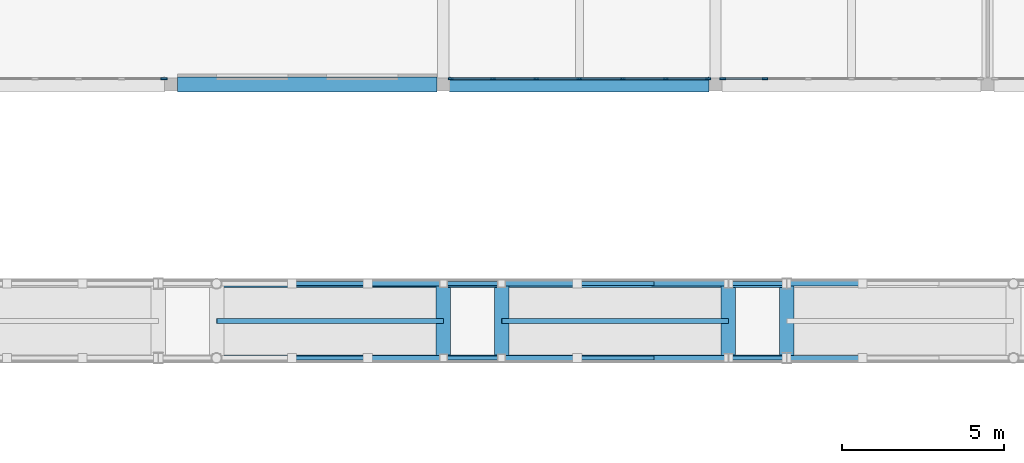
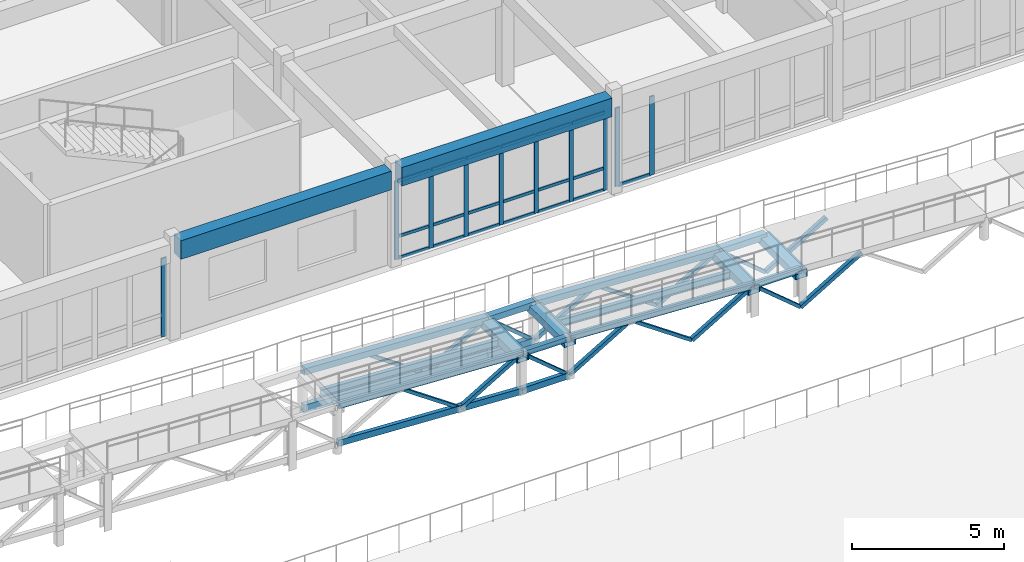
# One storey, part 40 of 89: 57 members, 8 beams, 3 elements without a shape of their own.
"""IFC4 building model written with IfcOpenShell, lengths in metres."""

from ifc_helpers import new_model, si_unit, direction, frame, origin, origin_2d, place, context, subcontext, project, spatial, rectangle, hollow_rectangle, i_section, extrude, material, material_profile, profile_set, type_object, element, aggregate, save


model = new_model("IFC4")

# Units and contexts
model_context = context("Model", 3, precision=1e-05, world=origin(), true_north=direction((0.0, 1.0)))
body_context = subcontext(model_context, "Body", "Model", "MODEL_VIEW")
ifc_project = project(units=[si_unit("LENGTHUNIT", "METRE"), si_unit("AREAUNIT", "SQUARE_METRE"), si_unit("VOLUMEUNIT", "CUBIC_METRE"), si_unit("PLANEANGLEUNIT", "RADIAN"), si_unit("MASSUNIT", "GRAM", prefix="KILO")], contexts=[model_context])

# Site, building, storey
site_placement = place(None, origin())
site = spatial("IfcSite", under=ifc_project, at=site_placement, CompositionType="ELEMENT")
building_placement = place(site_placement, origin())
building = spatial("IfcBuilding", under=site, at=building_placement, Name="Malvenik Polytechnic", CompositionType="ELEMENT")
storey_placement = place(building_placement, frame((0.0, 0.0, 13.5)))
storey = spatial("IfcBuildingStorey", under=building, at=storey_placement, Name="L03", CompositionType="ELEMENT", Elevation=13.5)

# Curtain wall, members
ifc_material_1 = material(Name="Anodised aluminium 6060-T6", Category="aluminium")
curtain_wall_type = type_object("IfcCurtainWallType", Name="ARC-CW-CW-02", PredefinedType="NOTDEFINED", material=ifc_material_1)
curtain_wall_1_placement = place(storey_placement, origin())
curtain_wall_1 = element("IfcCurtainWall", 1, at=curtain_wall_1_placement, inside=storey, type_object=curtain_wall_type, Name="Unitised Curtain Wall CW-02 L03 #197", PredefinedType="NOTDEFINED")
ifc_material_2 = material(Name="Anodised aluminium", Category="aluminium")
ifc_material_profile_1 = material_profile(ifc_material_2, rectangle(XDim=0.06005859375, YDim=0.159912109375, at=origin_2d()), Name="ALU MULLION 60x160")
ifc_profile_set_1 = profile_set([ifc_material_profile_1], Name="Anodised aluminium")
member_type_1 = type_object("IfcMemberType", Name="ARC-CWM-160", PredefinedType="MULLION", material=ifc_profile_set_1)
member_1_placement = place(storey_placement, frame((92.172119140625, 79.3701171875, 0.0), z_axis=(0.0, 0.0, 1.0), x_axis=(0.0, -1.0, 0.0)))
member_1 = element("IfcMember", 2, at=member_1_placement, type_object=member_type_1, Name="CW-02 mullion 1", PredefinedType="MULLION", context=body_context, shape_type="SweptSolid", body=[
    extrude(rectangle(XDim=0.06005859375, YDim=0.159912109375, at=origin_2d()), origin(), (0.0, 0.0, 1.0), 3.159912109375),
])
member_2_placement = place(storey_placement, frame((90.867919921875, 79.3701171875, 0.0), z_axis=(0.0, 0.0, 1.0), x_axis=(0.0, -1.0, 0.0)))
member_2 = element("IfcMember", 3, at=member_2_placement, type_object=member_type_1, Name="CW-02 mullion 2", PredefinedType="MULLION", context=body_context, shape_type="SweptSolid", body=[
    extrude(rectangle(XDim=0.06005859375, YDim=0.159912109375, at=origin_2d()), origin(), (0.0, 0.0, 1.0), 3.159912109375),
])
member_3_placement = place(storey_placement, frame((89.533935546875, 79.3701171875, 0.0), z_axis=(0.0, 0.0, 1.0), x_axis=(0.0, -1.0, 0.0)))
member_3 = element("IfcMember", 4, at=member_3_placement, type_object=member_type_1, Name="CW-02 mullion 3", PredefinedType="MULLION", context=body_context, shape_type="SweptSolid", body=[
    extrude(rectangle(XDim=0.06005859375, YDim=0.159912109375, at=origin_2d()), origin(), (0.0, 0.0, 1.0), 3.159912109375),
])
member_4_placement = place(storey_placement, frame((88.199951171875, 79.3701171875, 0.0), z_axis=(0.0, 0.0, 1.0), x_axis=(0.0, -1.0, 0.0)))
member_4 = element("IfcMember", 5, at=member_4_placement, type_object=member_type_1, Name="CW-02 mullion 4", PredefinedType="MULLION", context=body_context, shape_type="SweptSolid", body=[
    extrude(rectangle(XDim=0.06005859375, YDim=0.159912109375, at=origin_2d()), origin(), (0.0, 0.0, 1.0), 3.159912109375),
])
member_5_placement = place(storey_placement, frame((86.865966796875, 79.3701171875, 0.0), z_axis=(0.0, 0.0, 1.0), x_axis=(0.0, -1.0, 0.0)))
member_5 = element("IfcMember", 6, at=member_5_placement, type_object=member_type_1, Name="CW-02 mullion 5", PredefinedType="MULLION", context=body_context, shape_type="SweptSolid", body=[
    extrude(rectangle(XDim=0.06005859375, YDim=0.159912109375, at=origin_2d()), origin(), (0.0, 0.0, 1.0), 3.159912109375),
])
member_6_placement = place(storey_placement, frame((85.531982421875, 79.3701171875, 0.0), z_axis=(0.0, 0.0, 1.0), x_axis=(0.0, -1.0, 0.0)))
member_6 = element("IfcMember", 7, at=member_6_placement, type_object=member_type_1, Name="CW-02 mullion 6", PredefinedType="MULLION", context=body_context, shape_type="SweptSolid", body=[
    extrude(rectangle(XDim=0.06005859375, YDim=0.159912109375, at=origin_2d()), origin(), (0.0, 0.0, 1.0), 3.159912109375),
])
member_7_placement = place(storey_placement, frame((84.22802734375, 79.3701171875, 0.0), z_axis=(0.0, 0.0, 1.0), x_axis=(0.0, -1.0, 0.0)))
member_7 = element("IfcMember", 8, at=member_7_placement, type_object=member_type_1, Name="CW-02 mullion 7", PredefinedType="MULLION", context=body_context, shape_type="SweptSolid", body=[
    extrude(rectangle(XDim=0.06005859375, YDim=0.159912109375, at=origin_2d()), origin(), (0.0, 0.0, 1.0), 3.159912109375),
])

curtain_wall_2_placement = place(storey_placement, origin())
curtain_wall_2 = element("IfcCurtainWall", 9, at=curtain_wall_2_placement, inside=storey, type_object=curtain_wall_type, Name="Unitised Curtain Wall CW-02 L03 #196", PredefinedType="NOTDEFINED")
ifc_material_profile_2 = material_profile(ifc_material_2, rectangle(XDim=0.06005859375, YDim=0.179931640625, at=origin_2d()), Name="ALU MULLION 60x180")
ifc_profile_set_2 = profile_set([ifc_material_profile_2], Name="Anodised aluminium")
member_type_2 = type_object("IfcMemberType", Name="ARC-CWM-180", PredefinedType="MULLION", material=ifc_profile_set_2)
member_8_placement = place(storey_placement, frame((93.931884765625, 79.3701171875, 0.0), z_axis=(0.0, 0.0, 1.0), x_axis=(0.0, -1.0, 0.0)))
member_8 = element("IfcMember", 10, at=member_8_placement, type_object=member_type_2, Name="CW-02 mullion 6", PredefinedType="MULLION", context=body_context, shape_type="SweptSolid", body=[
    extrude(rectangle(XDim=0.06005859375, YDim=0.179931640625, at=origin_2d()), origin(), (0.0, 0.0, 1.0), 3.159912109375),
])
member_9_placement = place(storey_placement, frame((92.6279296875, 79.3701171875, 0.0), z_axis=(0.0, 0.0, 1.0), x_axis=(0.0, -1.0, 0.0)))
member_9 = element("IfcMember", 11, at=member_9_placement, type_object=member_type_2, Name="CW-02 mullion 7", PredefinedType="MULLION", context=body_context, shape_type="SweptSolid", body=[
    extrude(rectangle(XDim=0.06005859375, YDim=0.179931640625, at=origin_2d()), origin(), (0.0, 0.0, 1.0), 3.159912109375),
])

# Curtain wall, member
curtain_wall_3_placement = place(storey_placement, origin())
curtain_wall_3 = element("IfcCurtainWall", 12, at=curtain_wall_3_placement, inside=storey, type_object=curtain_wall_type, Name="Unitised Curtain Wall CW-02 L03 #198", PredefinedType="NOTDEFINED")
ifc_material_profile_3 = material_profile(ifc_material_2, rectangle(XDim=0.06005859375, YDim=0.199951171875, at=origin_2d()), Name="ALU MULLION 60x200")
ifc_profile_set_3 = profile_set([ifc_material_profile_3], Name="Anodised aluminium")
member_type_3 = type_object("IfcMemberType", Name="ARC-CWM-200", PredefinedType="MULLION", material=ifc_profile_set_3)
member_10_placement = place(storey_placement, frame((75.3720703125, 79.3701171875, 0.0), z_axis=(0.0, 0.0, 1.0), x_axis=(0.0, -1.0, 0.0)))
member_10 = element("IfcMember", 13, at=member_10_placement, type_object=member_type_3, Name="CW-02 mullion 1", PredefinedType="MULLION", context=body_context, shape_type="SweptSolid", body=[
    extrude(rectangle(XDim=0.06005859375, YDim=0.199951171875, at=origin_2d()), origin(), (0.0, 0.0, 1.0), 3.159912109375),
])
aggregate(curtain_wall_3, [member_10])

# Member
ifc_material_profile_4 = material_profile(ifc_material_2, rectangle(XDim=0.06005859375, YDim=0.1201171875, at=origin_2d()), Name="ALU TRANSOM 60x120")
ifc_profile_set_4 = profile_set([ifc_material_profile_4], Name="Anodised aluminium")
member_type_4 = type_object("IfcMemberType", Name="ARC-CWT-120", PredefinedType="USERDEFINED", material=ifc_profile_set_4)
member_11_placement = place(storey_placement, frame((92.14208984375, 79.3701171875, 0.030029296875), z_axis=(-1.0, 0.0, 0.0), x_axis=(0.0, -1.0, 0.0)))
member_11 = element("IfcMember", 14, at=member_11_placement, type_object=member_type_4, Name="CW-02 transom 1.1", ObjectType="TRANSOM", PredefinedType="USERDEFINED", context=body_context, shape_type="SweptSolid", body=[
    extrude(rectangle(XDim=0.06005859375, YDim=0.1201171875, at=origin_2d()), origin(), (0.0, 0.0, 1.0), 1.244140625),
])

member_12_placement = place(storey_placement, frame((92.14208984375, 79.3701171875, 0.89990234375), z_axis=(-1.0, 0.0, 0.0), x_axis=(0.0, -1.0, 0.0)))
member_12 = element("IfcMember", 15, at=member_12_placement, type_object=member_type_4, Name="CW-02 transom 1.2", ObjectType="TRANSOM", PredefinedType="USERDEFINED", context=body_context, shape_type="SweptSolid", body=[
    extrude(rectangle(XDim=0.06005859375, YDim=0.1201171875, at=origin_2d()), origin(), (0.0, 0.0, 1.0), 1.244140625),
])

member_13_placement = place(storey_placement, frame((92.14208984375, 79.3701171875, 3.1298828125), z_axis=(-1.0, 0.0, 0.0), x_axis=(0.0, -1.0, 0.0)))
member_13 = element("IfcMember", 16, at=member_13_placement, type_object=member_type_4, Name="CW-02 transom 1.3", ObjectType="TRANSOM", PredefinedType="USERDEFINED", context=body_context, shape_type="SweptSolid", body=[
    extrude(rectangle(XDim=0.06005859375, YDim=0.1201171875, at=origin_2d()), origin(), (0.0, 0.0, 1.0), 1.244140625),
])

member_14_placement = place(storey_placement, frame((90.837890625, 79.3701171875, 0.030029296875), z_axis=(-1.0, 0.0, 0.0), x_axis=(0.0, -1.0, 0.0)))
member_14 = element("IfcMember", 17, at=member_14_placement, type_object=member_type_4, Name="CW-02 transom 2.1", ObjectType="TRANSOM", PredefinedType="USERDEFINED", context=body_context, shape_type="SweptSolid", body=[
    extrude(rectangle(XDim=0.06005859375, YDim=0.1201171875, at=origin_2d()), origin(), (0.0, 0.0, 1.0), 1.27392578125),
])

member_15_placement = place(storey_placement, frame((90.837890625, 79.3701171875, 0.89990234375), z_axis=(-1.0, 0.0, 0.0), x_axis=(0.0, -1.0, 0.0)))
member_15 = element("IfcMember", 18, at=member_15_placement, type_object=member_type_4, Name="CW-02 transom 2.2", ObjectType="TRANSOM", PredefinedType="USERDEFINED", context=body_context, shape_type="SweptSolid", body=[
    extrude(rectangle(XDim=0.06005859375, YDim=0.1201171875, at=origin_2d()), origin(), (0.0, 0.0, 1.0), 1.27392578125),
])

member_16_placement = place(storey_placement, frame((90.837890625, 79.3701171875, 3.1298828125), z_axis=(-1.0, 0.0, 0.0), x_axis=(0.0, -1.0, 0.0)))
member_16 = element("IfcMember", 19, at=member_16_placement, type_object=member_type_4, Name="CW-02 transom 2.3", ObjectType="TRANSOM", PredefinedType="USERDEFINED", context=body_context, shape_type="SweptSolid", body=[
    extrude(rectangle(XDim=0.06005859375, YDim=0.1201171875, at=origin_2d()), origin(), (0.0, 0.0, 1.0), 1.27392578125),
])

member_17_placement = place(storey_placement, frame((89.50390625, 79.3701171875, 0.030029296875), z_axis=(-1.0, 0.0, 0.0), x_axis=(0.0, -1.0, 0.0)))
member_17 = element("IfcMember", 20, at=member_17_placement, type_object=member_type_4, Name="CW-02 transom 3.1", ObjectType="TRANSOM", PredefinedType="USERDEFINED", context=body_context, shape_type="SweptSolid", body=[
    extrude(rectangle(XDim=0.06005859375, YDim=0.1201171875, at=origin_2d()), origin(), (0.0, 0.0, 1.0), 1.27392578125),
])

member_18_placement = place(storey_placement, frame((89.50390625, 79.3701171875, 0.89990234375), z_axis=(-1.0, 0.0, 0.0), x_axis=(0.0, -1.0, 0.0)))
member_18 = element("IfcMember", 21, at=member_18_placement, type_object=member_type_4, Name="CW-02 transom 3.2", ObjectType="TRANSOM", PredefinedType="USERDEFINED", context=body_context, shape_type="SweptSolid", body=[
    extrude(rectangle(XDim=0.06005859375, YDim=0.1201171875, at=origin_2d()), origin(), (0.0, 0.0, 1.0), 1.27392578125),
])

member_19_placement = place(storey_placement, frame((89.50390625, 79.3701171875, 3.1298828125), z_axis=(-1.0, 0.0, 0.0), x_axis=(0.0, -1.0, 0.0)))
member_19 = element("IfcMember", 22, at=member_19_placement, type_object=member_type_4, Name="CW-02 transom 3.3", ObjectType="TRANSOM", PredefinedType="USERDEFINED", context=body_context, shape_type="SweptSolid", body=[
    extrude(rectangle(XDim=0.06005859375, YDim=0.1201171875, at=origin_2d()), origin(), (0.0, 0.0, 1.0), 1.27392578125),
])

member_20_placement = place(storey_placement, frame((88.169921875, 79.3701171875, 0.030029296875), z_axis=(-1.0, 0.0, 0.0), x_axis=(0.0, -1.0, 0.0)))
member_20 = element("IfcMember", 23, at=member_20_placement, type_object=member_type_4, Name="CW-02 transom 4.1", ObjectType="TRANSOM", PredefinedType="USERDEFINED", context=body_context, shape_type="SweptSolid", body=[
    extrude(rectangle(XDim=0.06005859375, YDim=0.1201171875, at=origin_2d()), origin(), (0.0, 0.0, 1.0), 1.27392578125),
])

member_21_placement = place(storey_placement, frame((88.169921875, 79.3701171875, 0.89990234375), z_axis=(-1.0, 0.0, 0.0), x_axis=(0.0, -1.0, 0.0)))
member_21 = element("IfcMember", 24, at=member_21_placement, type_object=member_type_4, Name="CW-02 transom 4.2", ObjectType="TRANSOM", PredefinedType="USERDEFINED", context=body_context, shape_type="SweptSolid", body=[
    extrude(rectangle(XDim=0.06005859375, YDim=0.1201171875, at=origin_2d()), origin(), (0.0, 0.0, 1.0), 1.27392578125),
])

member_22_placement = place(storey_placement, frame((88.169921875, 79.3701171875, 3.1298828125), z_axis=(-1.0, 0.0, 0.0), x_axis=(0.0, -1.0, 0.0)))
member_22 = element("IfcMember", 25, at=member_22_placement, type_object=member_type_4, Name="CW-02 transom 4.3", ObjectType="TRANSOM", PredefinedType="USERDEFINED", context=body_context, shape_type="SweptSolid", body=[
    extrude(rectangle(XDim=0.06005859375, YDim=0.1201171875, at=origin_2d()), origin(), (0.0, 0.0, 1.0), 1.27392578125),
])

member_23_placement = place(storey_placement, frame((86.8359375, 79.3701171875, 0.030029296875), z_axis=(-1.0, 0.0, 0.0), x_axis=(0.0, -1.0, 0.0)))
member_23 = element("IfcMember", 26, at=member_23_placement, type_object=member_type_4, Name="CW-02 transom 5.1", ObjectType="TRANSOM", PredefinedType="USERDEFINED", context=body_context, shape_type="SweptSolid", body=[
    extrude(rectangle(XDim=0.06005859375, YDim=0.1201171875, at=origin_2d()), origin(), (0.0, 0.0, 1.0), 1.27392578125),
])

member_24_placement = place(storey_placement, frame((86.8359375, 79.3701171875, 0.89990234375), z_axis=(-1.0, 0.0, 0.0), x_axis=(0.0, -1.0, 0.0)))
member_24 = element("IfcMember", 27, at=member_24_placement, type_object=member_type_4, Name="CW-02 transom 5.2", ObjectType="TRANSOM", PredefinedType="USERDEFINED", context=body_context, shape_type="SweptSolid", body=[
    extrude(rectangle(XDim=0.06005859375, YDim=0.1201171875, at=origin_2d()), origin(), (0.0, 0.0, 1.0), 1.27392578125),
])

member_25_placement = place(storey_placement, frame((86.8359375, 79.3701171875, 3.1298828125), z_axis=(-1.0, 0.0, 0.0), x_axis=(0.0, -1.0, 0.0)))
member_25 = element("IfcMember", 28, at=member_25_placement, type_object=member_type_4, Name="CW-02 transom 5.3", ObjectType="TRANSOM", PredefinedType="USERDEFINED", context=body_context, shape_type="SweptSolid", body=[
    extrude(rectangle(XDim=0.06005859375, YDim=0.1201171875, at=origin_2d()), origin(), (0.0, 0.0, 1.0), 1.27392578125),
])

member_26_placement = place(storey_placement, frame((85.501953125, 79.3701171875, 0.030029296875), z_axis=(-1.0, 0.0, 0.0), x_axis=(0.0, -1.0, 0.0)))
member_26 = element("IfcMember", 29, at=member_26_placement, type_object=member_type_4, Name="CW-02 transom 6.1", ObjectType="TRANSOM", PredefinedType="USERDEFINED", context=body_context, shape_type="SweptSolid", body=[
    extrude(rectangle(XDim=0.06005859375, YDim=0.1201171875, at=origin_2d()), origin(), (0.0, 0.0, 1.0), 1.243896484375),
])

member_27_placement = place(storey_placement, frame((85.501953125, 79.3701171875, 0.89990234375), z_axis=(-1.0, 0.0, 0.0), x_axis=(0.0, -1.0, 0.0)))
member_27 = element("IfcMember", 30, at=member_27_placement, type_object=member_type_4, Name="CW-02 transom 6.2", ObjectType="TRANSOM", PredefinedType="USERDEFINED", context=body_context, shape_type="SweptSolid", body=[
    extrude(rectangle(XDim=0.06005859375, YDim=0.1201171875, at=origin_2d()), origin(), (0.0, 0.0, 1.0), 1.243896484375),
])

member_28_placement = place(storey_placement, frame((85.501953125, 79.3701171875, 3.1298828125), z_axis=(-1.0, 0.0, 0.0), x_axis=(0.0, -1.0, 0.0)))
member_28 = element("IfcMember", 31, at=member_28_placement, type_object=member_type_4, Name="CW-02 transom 6.3", ObjectType="TRANSOM", PredefinedType="USERDEFINED", context=body_context, shape_type="SweptSolid", body=[
    extrude(rectangle(XDim=0.06005859375, YDim=0.1201171875, at=origin_2d()), origin(), (0.0, 0.0, 1.0), 1.243896484375),
])

aggregate(curtain_wall_1, [member_1, member_2, member_3, member_4, member_5, member_6, member_7, member_11, member_12, member_13, member_14, member_15, member_16, member_17, member_18, member_19, member_20, member_21, member_22, member_23, member_24, member_25, member_26, member_27, member_28])

ifc_material_profile_5 = material_profile(ifc_material_2, rectangle(XDim=0.06005859375, YDim=0.139892578125, at=origin_2d()), Name="ALU TRANSOM 60x140")
ifc_profile_set_5 = profile_set([ifc_material_profile_5], Name="Anodised aluminium")
member_type_5 = type_object("IfcMemberType", Name="ARC-CWT-140", PredefinedType="USERDEFINED", material=ifc_profile_set_5)
member_29_placement = place(storey_placement, frame((93.902099609375, 79.3701171875, 0.030029296875), z_axis=(-1.0, 0.0, 0.0), x_axis=(0.0, -1.0, 0.0)))
member_29 = element("IfcMember", 32, at=member_29_placement, type_object=member_type_5, Name="CW-02 transom 6.1", ObjectType="TRANSOM", PredefinedType="USERDEFINED", context=body_context, shape_type="SweptSolid", body=[
    extrude(rectangle(XDim=0.06005859375, YDim=0.139892578125, at=origin_2d()), origin(), (0.0, 0.0, 1.0), 1.244140625),
])

aggregate(curtain_wall_2, [member_8, member_9, member_29])

# Beams
ifc_material_3 = material(Name="Steel S355J2H", Category="steel")
ifc_material_profile_6 = material_profile(ifc_material_3, hollow_rectangle(XDim=0.449951171875, YDim=0.300048828125, WallThickness=0.012451171875, at=origin_2d()), Name="RHS 450x300x12.5")
ifc_profile_set_6 = profile_set([ifc_material_profile_6], Name="Steel S355J2H")
beam_type_1 = type_object("IfcBeamType", Name="STR-BM-SB-07", PredefinedType="BEAM", material=ifc_profile_set_6)
for number, where, z_axis, x_axis, name in (
    (33, (94.60009765625, 70.64990234375, 1.031982421875), (0.0, 1.0, 0.0), (-1.0, 0.0, 0.0), "Ramp Joint Transom RB-02 #7"),
    (34, (92.800048828125, 70.64990234375, 1.031982421875), (0.0, 1.0, 0.0), (-1.0, 0.0, 0.0), "Ramp Joint Transom RB-02 #8"),
    (35, (85.800048828125, 70.64990234375, 1.382080078125), (0.0, 1.0, 0.0), (-1.0, 0.0, 0.0), "Ramp Joint Transom RB-02 #9"),
    (36, (84.0, 70.64990234375, 1.382080078125), (0.0, 1.0, 0.0), (-1.0, 0.0, 0.0), "Ramp Joint Transom RB-02 #10"),
):
    element("IfcBeam", number, at=place(storey_placement, frame(where, z_axis=z_axis, x_axis=x_axis)), inside=storey, type_object=beam_type_1, Name=name, PredefinedType="BEAM", context=body_context, shape_type="SweptSolid", body=[
        extrude(hollow_rectangle(XDim=0.449951171875, YDim=0.300048828125, WallThickness=0.012451171875, at=origin_2d()), origin(), (0.0, 0.0, 1.0), 2.5),
    ])
ifc_material_4 = material(Name="Steel S355", Category="steel")
ifc_material_profile_7 = material_profile(ifc_material_4, i_section(OverallWidth=0.14990234375, OverallDepth=0.300048828125, WebThickness=0.007080078125, FlangeThickness=0.0107421875, FilletRadius=0.014892578125, at=origin_2d()), Name="IPE 300")
ifc_profile_set_7 = profile_set([ifc_material_profile_7], Name="Steel S355")
beam_type_2 = type_object("IfcBeamType", Name="STR-BM-SB-09", PredefinedType="JOIST", material=ifc_profile_set_7)
for number, where, z_axis, x_axis, name in (
    (37, (92.800048828125, 71.89990234375, 0.97509765625), (-0.998753381067, 0.0, 0.049916768801), (0.0, -1.0, 0.0), "Ramp Centreline Stringer RB-02 #8"),
    (38, (84.0, 71.89990234375, 1.324951171875), (-0.998751643845, 0.0, 0.049951515669), (0.0, -1.0, 0.0), "Ramp Centreline Stringer RB-02 #10"),
):
    element("IfcBeam", number, at=place(storey_placement, frame(where, z_axis=z_axis, x_axis=x_axis)), inside=storey, type_object=beam_type_2, Name=name, PredefinedType="JOIST", context=body_context, shape_type="SweptSolid", body=[
        extrude(i_section(OverallWidth=0.14990234375, OverallDepth=0.300048828125, WebThickness=0.007080078125, FlangeThickness=0.0107421875, FilletRadius=0.014892578125, at=origin_2d()), origin(), (0.0, 0.0, 1.0), 7.0087890625),
    ])
ifc_material_5 = material(Name="Precast concrete C40/50", Category="concrete")
ifc_material_profile_8 = material_profile(ifc_material_5, rectangle(XDim=0.4599609375, YDim=0.75, at=origin_2d()), Name="PC SPN 460x750")
ifc_profile_set_8 = profile_set([ifc_material_profile_8], Name="Precast concrete C40/50")
beam_type_3 = type_object("IfcBeamType", Name="STR-BM-SP-02", PredefinedType="SPANDREL", material=ifc_profile_set_8)
for number, where, z_axis, x_axis, name in (
    (39, (75.798095703125, 79.199951171875, 3.544921875), (1.0, 0.0, 0.0), (0.0, 1.0, 0.0), "Primary Beam SP-02 L03 #1643"),
    (40, (84.197998046875, 79.199951171875, 3.544921875), (1.0, 0.0, 0.0), (0.0, 1.0, 0.0), "Primary Beam SP-02 L03 #1644"),
):
    element("IfcBeam", number, at=place(storey_placement, frame(where, z_axis=z_axis, x_axis=x_axis)), inside=storey, type_object=beam_type_3, Name=name, PredefinedType="SPANDREL", context=body_context, shape_type="SweptSolid", body=[
        extrude(rectangle(XDim=0.4599609375, YDim=0.75, at=origin_2d()), origin(), (0.0, 0.0, 1.0), 8.00390625),
    ])

# Members
ifc_material_profile_9 = material_profile(ifc_material_3, hollow_rectangle(XDim=0.14990234375, YDim=0.25, WallThickness=0.010009765625, at=origin_2d()), Name="RHS 250x150x10.0")
ifc_profile_set_9 = profile_set([ifc_material_profile_9], Name="Steel S355J2H")
member_type_6 = type_object("IfcMemberType", Name="STR-MEM-TRB-01", PredefinedType="CHORD", material=ifc_profile_set_9)
member_30_placement = place(storey_placement, frame((85.7958984375, 70.75, 0.030029296875), z_axis=(-1.0, 0.0, 0.0), x_axis=(0.0, -1.0, 0.0)))
element("IfcMember", 41, at=member_30_placement, inside=storey, type_object=member_type_6, Name="Space-Frame Tube TRB-01 STR-TR-BC-RB-02-1-09", PredefinedType="CHORD", context=body_context, shape_type="SweptSolid", body=[
    extrude(hollow_rectangle(XDim=0.14990234375, YDim=0.25, WallThickness=0.010009765625, at=origin_2d()), origin(), (0.0, 0.0, 1.0), 1.7919921875),
])
member_31_placement = place(storey_placement, frame((83.99609375, 70.75, 0.0302734375), z_axis=(-0.998752338878, 0.0, 0.049937616944), x_axis=(0.0, -1.0, 0.0)))
element("IfcMember", 42, at=member_31_placement, inside=storey, type_object=member_type_6, Name="Space-Frame Tube TRB-01 STR-TR-BC-RB-02-1-10", PredefinedType="CHORD", context=body_context, shape_type="SweptSolid", body=[
    extrude(hollow_rectangle(XDim=0.14990234375, YDim=0.25, WallThickness=0.010009765625, at=origin_2d()), origin(), (0.0, 0.0, 1.0), 7.0009765625),
])
ifc_material_profile_10 = material_profile(ifc_material_3, hollow_rectangle(XDim=0.199951171875, YDim=0.300048828125, WallThickness=0.010009765625, at=origin_2d()), Name="RHS 300x200x10.0")
ifc_profile_set_10 = profile_set([ifc_material_profile_10], Name="Steel S355J2H")
member_type_7 = type_object("IfcMemberType", Name="STR-MEM-TRB-02", PredefinedType="CHORD", material=ifc_profile_set_10)
member_32_placement = place(storey_placement, frame((85.7958984375, 73.050048828125, 0.030029296875), z_axis=(-1.0, 0.0, 0.0), x_axis=(0.0, -1.0, 0.0)))
element("IfcMember", 43, at=member_32_placement, inside=storey, type_object=member_type_7, Name="Space-Frame Tube TRB-02 STR-TR-BC-RB-02-2-09", PredefinedType="CHORD", context=body_context, shape_type="SweptSolid", body=[
    extrude(hollow_rectangle(XDim=0.199951171875, YDim=0.300048828125, WallThickness=0.010009765625, at=origin_2d()), origin(), (0.0, 0.0, 1.0), 1.7919921875),
])
member_33_placement = place(storey_placement, frame((83.99609375, 73.050048828125, 0.0302734375), z_axis=(-0.998752338878, 0.0, 0.049937616944), x_axis=(0.0, -1.0, 0.0)))
element("IfcMember", 44, at=member_33_placement, inside=storey, type_object=member_type_7, Name="Space-Frame Tube TRB-02 STR-TR-BC-RB-02-2-10", PredefinedType="CHORD", context=body_context, shape_type="SweptSolid", body=[
    extrude(hollow_rectangle(XDim=0.199951171875, YDim=0.300048828125, WallThickness=0.010009765625, at=origin_2d()), origin(), (0.0, 0.0, 1.0), 7.0009765625),
])
ifc_material_profile_11 = material_profile(ifc_material_3, hollow_rectangle(XDim=0.14990234375, YDim=0.14990234375, WallThickness=0.008056640625, at=origin_2d()), Name="SHS 150x150x8.0")
ifc_profile_set_11 = profile_set([ifc_material_profile_11], Name="Steel S355J2H")
member_type_8 = type_object("IfcMemberType", Name="STR-MEM-TRD-01", PredefinedType="BRACE", material=ifc_profile_set_11)
for number, where, z_axis, x_axis, name in (
    (45, (96.929931640625, 70.75, 1.061279296875), (-0.860165406805, 0.0, -0.51001516932), (0.0, -1.0, 0.0), "Space-Frame Tube TRD-01 STR-TRD-03-RB-02-1-06"),
    (46, (92.796630859375, 70.75, 1.177978515625), (-0.860165406805, 0.0, -0.51001516932), (0.0, -1.0, 0.0), "Space-Frame Tube TRD-01 STR-TRD-01-RB-02-1-08"),
    (47, (88.1298828125, 70.75, 1.411376953125), (-0.860165406805, 0.0, -0.51001516932), (0.0, -1.0, 0.0), "Space-Frame Tube TRD-01 STR-TRD-03-RB-02-1-08"),
    (48, (83.99658203125, 70.75, 1.528076171875), (-0.860165406805, 0.0, -0.51001516932), (0.0, -1.0, 0.0), "Space-Frame Tube TRD-01 STR-TRD-01-RB-02-1-10"),
    (49, (96.929931640625, 73.050048828125, 1.061279296875), (-0.860165406805, 0.0, -0.51001516932), (0.0, -1.0, 0.0), "Space-Frame Tube TRD-01 STR-TRD-03-RB-02-2-06"),
    (50, (92.796630859375, 73.050048828125, 1.177978515625), (-0.860165406805, 0.0, -0.51001516932), (0.0, -1.0, 0.0), "Space-Frame Tube TRD-01 STR-TRD-01-RB-02-2-08"),
    (51, (88.1298828125, 73.050048828125, 1.411376953125), (-0.860165406805, 0.0, -0.51001516932), (0.0, -1.0, 0.0), "Space-Frame Tube TRD-01 STR-TRD-03-RB-02-2-08"),
    (52, (83.99658203125, 73.050048828125, 1.528076171875), (-0.860165406805, 0.0, -0.51001516932), (0.0, -1.0, 0.0), "Space-Frame Tube TRD-01 STR-TRD-01-RB-02-2-10"),
):
    element("IfcMember", number, at=place(storey_placement, frame(where, z_axis=z_axis, x_axis=x_axis)), inside=storey, type_object=member_type_8, Name=name, PredefinedType="BRACE", context=body_context, shape_type="SweptSolid", body=[
        extrude(hollow_rectangle(XDim=0.14990234375, YDim=0.14990234375, WallThickness=0.008056640625, at=origin_2d()), origin(), (0.0, 0.0, 1.0), 2.70458984375),
    ])
ifc_material_profile_12 = material_profile(ifc_material_3, hollow_rectangle(XDim=0.1201171875, YDim=0.1201171875, WallThickness=0.00634765625, at=origin_2d()), Name="SHS 120x120x6.3")
ifc_profile_set_12 = profile_set([ifc_material_profile_12], Name="Steel S355J2H")
member_type_9 = type_object("IfcMemberType", Name="STR-MEM-TRD-02", PredefinedType="BRACE", material=ifc_profile_set_12)
member_34_placement = place(storey_placement, frame((94.596923828125, 70.75, -0.3173828125), z_axis=(-0.768238418778, 0.0, 0.640163832088), x_axis=(0.0, -1.0, 0.0)))
element("IfcMember", 53, at=member_34_placement, inside=storey, type_object=member_type_9, Name="Space-Frame Tube TRD-02 STR-TR-DGL-RB-02-1-07", PredefinedType="BRACE", context=body_context, shape_type="SweptSolid", body=[
    extrude(hollow_rectangle(XDim=0.1201171875, YDim=0.1201171875, WallThickness=0.00634765625, at=origin_2d()), origin(), (0.0, 0.0, 1.0), 2.335205078125),
])
member_35_placement = place(storey_placement, frame((90.46337890625, 70.75, -0.200927734375), z_axis=(-0.822018261481, 0.0, 0.569461129307), x_axis=(0.0, -1.0, 0.0)))
element("IfcMember", 54, at=member_35_placement, inside=storey, type_object=member_type_9, Name="Space-Frame Tube TRD-02 STR-TRD-02-RB-02-1-08", PredefinedType="BRACE", context=body_context, shape_type="SweptSolid", body=[
    extrude(hollow_rectangle(XDim=0.1201171875, YDim=0.1201171875, WallThickness=0.00634765625, at=origin_2d()), origin(), (0.0, 0.0, 1.0), 2.830322265625),
])
member_36_placement = place(storey_placement, frame((85.796875, 70.75, 0.03271484375), z_axis=(-0.768246991948, 0.0, 0.640153543583), x_axis=(0.0, -1.0, 0.0)))
element("IfcMember", 55, at=member_36_placement, inside=storey, type_object=member_type_9, Name="Space-Frame Tube TRD-02 STR-TR-DGL-RB-02-1-09", PredefinedType="BRACE", context=body_context, shape_type="SweptSolid", body=[
    extrude(hollow_rectangle(XDim=0.1201171875, YDim=0.1201171875, WallThickness=0.00634765625, at=origin_2d()), origin(), (0.0, 0.0, 1.0), 2.334716796875),
])
member_37_placement = place(storey_placement, frame((81.663330078125, 70.75, 0.14892578125), z_axis=(-0.821977884392, 0.0, 0.569519409301), x_axis=(0.0, -1.0, 0.0)))
element("IfcMember", 56, at=member_37_placement, inside=storey, type_object=member_type_9, Name="Space-Frame Tube TRD-02 STR-TRD-02-RB-02-1-10", PredefinedType="BRACE", context=body_context, shape_type="SweptSolid", body=[
    extrude(hollow_rectangle(XDim=0.1201171875, YDim=0.1201171875, WallThickness=0.00634765625, at=origin_2d()), origin(), (0.0, 0.0, 1.0), 2.83056640625),
])
member_38_placement = place(storey_placement, frame((94.596923828125, 73.050048828125, -0.3173828125), z_axis=(-0.768238418778, 0.0, 0.640163832088), x_axis=(0.0, -1.0, 0.0)))
element("IfcMember", 57, at=member_38_placement, inside=storey, type_object=member_type_9, Name="Space-Frame Tube TRD-02 STR-TR-DGL-RB-02-2-07", PredefinedType="BRACE", context=body_context, shape_type="SweptSolid", body=[
    extrude(hollow_rectangle(XDim=0.1201171875, YDim=0.1201171875, WallThickness=0.00634765625, at=origin_2d()), origin(), (0.0, 0.0, 1.0), 2.335205078125),
])
member_39_placement = place(storey_placement, frame((90.46337890625, 73.050048828125, -0.200927734375), z_axis=(-0.822018261481, 0.0, 0.569461129307), x_axis=(0.0, -1.0, 0.0)))
element("IfcMember", 58, at=member_39_placement, inside=storey, type_object=member_type_9, Name="Space-Frame Tube TRD-02 STR-TRD-02-RB-02-2-08", PredefinedType="BRACE", context=body_context, shape_type="SweptSolid", body=[
    extrude(hollow_rectangle(XDim=0.1201171875, YDim=0.1201171875, WallThickness=0.00634765625, at=origin_2d()), origin(), (0.0, 0.0, 1.0), 2.830322265625),
])
member_40_placement = place(storey_placement, frame((85.796875, 73.050048828125, 0.03271484375), z_axis=(-0.768246991948, 0.0, 0.640153543583), x_axis=(0.0, -1.0, 0.0)))
element("IfcMember", 59, at=member_40_placement, inside=storey, type_object=member_type_9, Name="Space-Frame Tube TRD-02 STR-TR-DGL-RB-02-2-09", PredefinedType="BRACE", context=body_context, shape_type="SweptSolid", body=[
    extrude(hollow_rectangle(XDim=0.1201171875, YDim=0.1201171875, WallThickness=0.00634765625, at=origin_2d()), origin(), (0.0, 0.0, 1.0), 2.334716796875),
])
member_41_placement = place(storey_placement, frame((81.663330078125, 73.050048828125, 0.14892578125), z_axis=(-0.821977884392, 0.0, 0.569519409301), x_axis=(0.0, -1.0, 0.0)))
element("IfcMember", 60, at=member_41_placement, inside=storey, type_object=member_type_9, Name="Space-Frame Tube TRD-02 STR-TRD-02-RB-02-2-10", PredefinedType="BRACE", context=body_context, shape_type="SweptSolid", body=[
    extrude(hollow_rectangle(XDim=0.1201171875, YDim=0.1201171875, WallThickness=0.00634765625, at=origin_2d()), origin(), (0.0, 0.0, 1.0), 2.83056640625),
])
ifc_material_profile_13 = material_profile(ifc_material_3, hollow_rectangle(XDim=0.199951171875, YDim=0.199951171875, WallThickness=0.010009765625, at=origin_2d()), Name="SHS 200x200x10.0")
ifc_profile_set_13 = profile_set([ifc_material_profile_13], Name="Steel S355J2H")
member_type_10 = type_object("IfcMemberType", Name="STR-MEM-TRT-01", PredefinedType="CHORD", material=ifc_profile_set_13)
member_42_placement = place(storey_placement, frame((94.595947265625, 70.75, 1.179931640625), z_axis=(-1.0, 0.0, 0.0), x_axis=(0.0, -1.0, 0.0)))
element("IfcMember", 61, at=member_42_placement, inside=storey, type_object=member_type_10, Name="Space-Frame Tube TRT-01 STR-TR-TC-RB-02-1-07", PredefinedType="CHORD", context=body_context, shape_type="SweptSolid", body=[
    extrude(hollow_rectangle(XDim=0.199951171875, YDim=0.199951171875, WallThickness=0.010009765625, at=origin_2d()), origin(), (0.0, 0.0, 1.0), 1.7919921875),
])
member_43_placement = place(storey_placement, frame((92.7958984375, 70.75, 1.18017578125), z_axis=(-0.998752251909, 0.0, 0.049939356288), x_axis=(0.0, -1.0, 0.0)))
element("IfcMember", 62, at=member_43_placement, inside=storey, type_object=member_type_10, Name="Space-Frame Tube TRT-01 STR-TR-TC-RB-02-1-08", PredefinedType="CHORD", context=body_context, shape_type="SweptSolid", body=[
    extrude(hollow_rectangle(XDim=0.199951171875, YDim=0.199951171875, WallThickness=0.010009765625, at=origin_2d()), origin(), (0.0, 0.0, 1.0), 7.000732421875),
])
member_44_placement = place(storey_placement, frame((85.7958984375, 70.75, 1.530029296875), z_axis=(-1.0, 0.0, 0.0), x_axis=(0.0, -1.0, 0.0)))
element("IfcMember", 63, at=member_44_placement, inside=storey, type_object=member_type_10, Name="Space-Frame Tube TRT-01 STR-TR-TC-RB-02-1-09", PredefinedType="CHORD", context=body_context, shape_type="SweptSolid", body=[
    extrude(hollow_rectangle(XDim=0.199951171875, YDim=0.199951171875, WallThickness=0.010009765625, at=origin_2d()), origin(), (0.0, 0.0, 1.0), 1.7919921875),
])
member_45_placement = place(storey_placement, frame((83.99609375, 70.75, 1.5302734375), z_axis=(-0.998752338878, 0.0, 0.049937616944), x_axis=(0.0, -1.0, 0.0)))
element("IfcMember", 64, at=member_45_placement, inside=storey, type_object=member_type_10, Name="Space-Frame Tube TRT-01 STR-TR-TC-RB-02-1-10", PredefinedType="CHORD", context=body_context, shape_type="SweptSolid", body=[
    extrude(hollow_rectangle(XDim=0.199951171875, YDim=0.199951171875, WallThickness=0.010009765625, at=origin_2d()), origin(), (0.0, 0.0, 1.0), 7.0009765625),
])
ifc_material_profile_14 = material_profile(ifc_material_3, hollow_rectangle(XDim=0.25, YDim=0.25, WallThickness=0.010009765625, at=origin_2d()), Name="SHS 250x250x10.0")
ifc_profile_set_14 = profile_set([ifc_material_profile_14], Name="Steel S355J2H")
member_type_11 = type_object("IfcMemberType", Name="STR-MEM-TRT-02", PredefinedType="CHORD", material=ifc_profile_set_14)
member_46_placement = place(storey_placement, frame((94.595947265625, 73.050048828125, 1.179931640625), z_axis=(-1.0, 0.0, 0.0), x_axis=(0.0, -1.0, 0.0)))
element("IfcMember", 65, at=member_46_placement, inside=storey, type_object=member_type_11, Name="Space-Frame Tube TRT-02 STR-TR-TC-RB-02-2-07", PredefinedType="CHORD", context=body_context, shape_type="SweptSolid", body=[
    extrude(hollow_rectangle(XDim=0.25, YDim=0.25, WallThickness=0.010009765625, at=origin_2d()), origin(), (0.0, 0.0, 1.0), 1.7919921875),
])
member_47_placement = place(storey_placement, frame((92.7958984375, 73.050048828125, 1.18017578125), z_axis=(-0.998752251909, 0.0, 0.049939356288), x_axis=(0.0, -1.0, 0.0)))
element("IfcMember", 66, at=member_47_placement, inside=storey, type_object=member_type_11, Name="Space-Frame Tube TRT-02 STR-TR-TC-RB-02-2-08", PredefinedType="CHORD", context=body_context, shape_type="SweptSolid", body=[
    extrude(hollow_rectangle(XDim=0.25, YDim=0.25, WallThickness=0.010009765625, at=origin_2d()), origin(), (0.0, 0.0, 1.0), 7.000732421875),
])
member_48_placement = place(storey_placement, frame((85.7958984375, 73.050048828125, 1.530029296875), z_axis=(-1.0, 0.0, 0.0), x_axis=(0.0, -1.0, 0.0)))
element("IfcMember", 67, at=member_48_placement, inside=storey, type_object=member_type_11, Name="Space-Frame Tube TRT-02 STR-TR-TC-RB-02-2-09", PredefinedType="CHORD", context=body_context, shape_type="SweptSolid", body=[
    extrude(hollow_rectangle(XDim=0.25, YDim=0.25, WallThickness=0.010009765625, at=origin_2d()), origin(), (0.0, 0.0, 1.0), 1.7919921875),
])
member_49_placement = place(storey_placement, frame((83.99609375, 73.050048828125, 1.5302734375), z_axis=(-0.998752338878, 0.0, 0.049937616944), x_axis=(0.0, -1.0, 0.0)))
element("IfcMember", 68, at=member_49_placement, inside=storey, type_object=member_type_11, Name="Space-Frame Tube TRT-02 STR-TR-TC-RB-02-2-10", PredefinedType="CHORD", context=body_context, shape_type="SweptSolid", body=[
    extrude(hollow_rectangle(XDim=0.25, YDim=0.25, WallThickness=0.010009765625, at=origin_2d()), origin(), (0.0, 0.0, 1.0), 7.0009765625),
])

save(model, "model.ifc")
